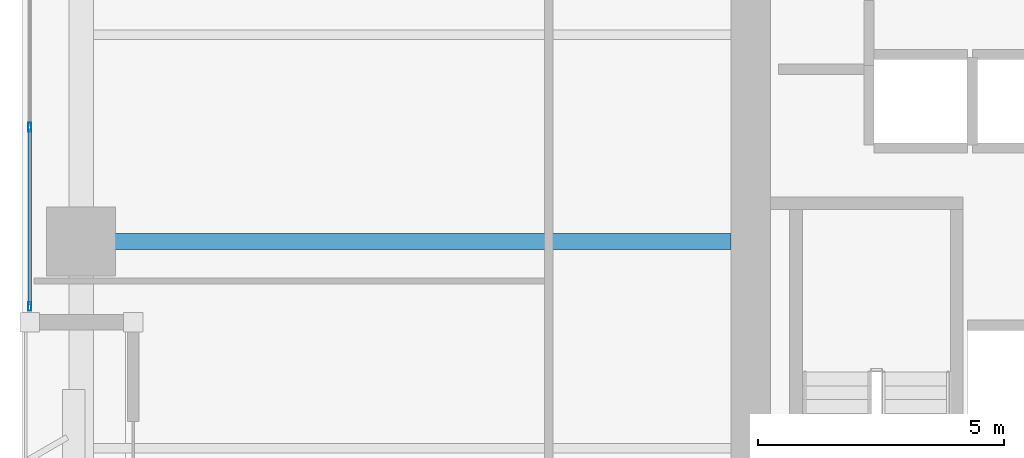
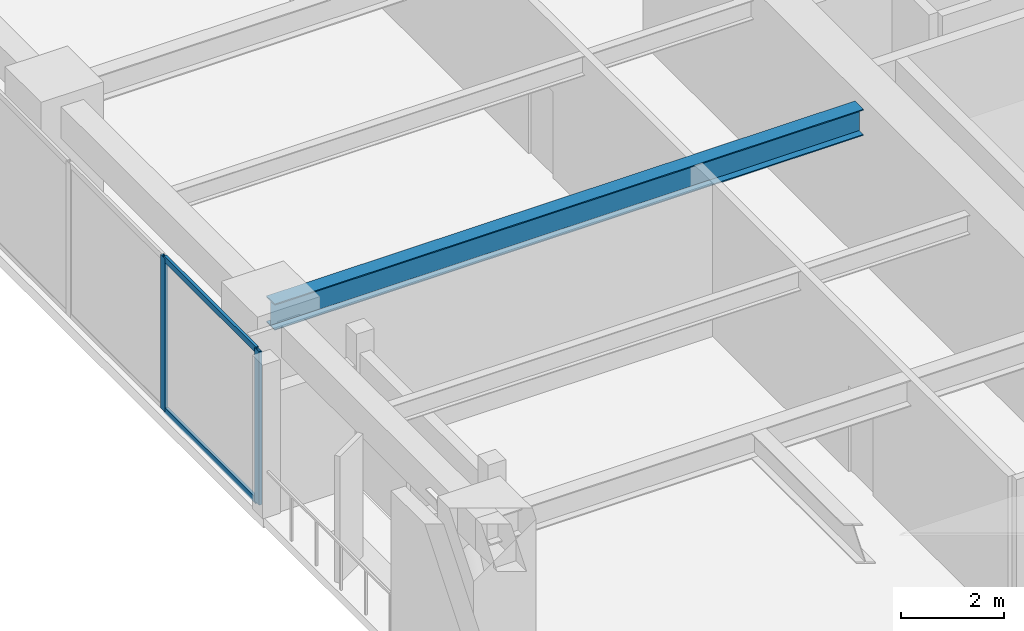
# One storey, part 2 of 24: 4 members, 1 beam, 1 element without a shape of its own.
"""IFC4 building model written with IfcOpenShell, lengths in metres."""

from ifc_helpers import new_model, si_unit, direction, frame, origin, origin_2d, place, context, subcontext, project, spatial, hollow_rectangle, i_section, extrude, material, layer, layer_set, material_profile, profile_set, type_object, element, aggregate, save


model = new_model("IFC4")

# Units and contexts
model_context = context("Model", 3, precision=1e-05, world=origin(), true_north=direction((0.0, 1.0)))
body_context = subcontext(model_context, "Body", "Model", "MODEL_VIEW")
ifc_project = project(units=[si_unit("LENGTHUNIT", "METRE"), si_unit("AREAUNIT", "SQUARE_METRE"), si_unit("VOLUMEUNIT", "CUBIC_METRE"), si_unit("PLANEANGLEUNIT", "RADIAN"), si_unit("MASSUNIT", "GRAM", prefix="KILO")], contexts=[model_context])

# Site, building, storey
site_placement = place(None, origin())
site = spatial("IfcSite", under=ifc_project, at=site_placement, CompositionType="ELEMENT")
building_placement = place(site_placement, origin())
building = spatial("IfcBuilding", under=site, at=building_placement, Name="Kiyonajd Concourse Tower", CompositionType="ELEMENT")
storey_placement = place(building_placement, frame((0.0, 0.0, 109.199951171875)))
storey = spatial("IfcBuildingStorey", under=building, at=storey_placement, Name="L28", CompositionType="ELEMENT", Elevation=109.199951171875)

# Beam
ifc_material_1 = material(Name="Steel ASTM A992 Grade 50", Category="steel")
ifc_material_profile_1 = material_profile(ifc_material_1, i_section(OverallWidth=0.326904296875, OverallDepth=0.6220703125, WebThickness=0.015380859375, FlangeThickness=0.0244140625, at=origin_2d()), Name="W610X195")
ifc_profile_set_1 = profile_set([ifc_material_profile_1], Name="Steel ASTM A992 Grade 50")
beam_type = type_object("IfcBeamType", Name="BM-TWR-610A", PredefinedType="BEAM", material=ifc_profile_set_1)
beam_placement = place(storey_placement, frame((19.199951171875, 36.0, 3.3291015625), z_axis=(1.0, 0.0, 0.0), x_axis=(0.0, 1.0, 0.0)))
element("IfcBeam", 1, at=beam_placement, inside=storey, type_object=beam_type, Name="L28 West Lease Girder", PredefinedType="BEAM", context=body_context, shape_type="SweptSolid", body=[
    extrude(i_section(OverallWidth=0.326904296875, OverallDepth=0.6220703125, WebThickness=0.015380859375, FlangeThickness=0.0244140625, at=origin_2d()), origin(), (0.0, 0.0, 1.0), 13.199951171875),
])

# Curtain wall, members
ifc_material_2 = material(Name="Thermally Broken Anodised Aluminium", Category="aluminium")
ifc_layer = layer(ifc_material_2, 0.179931640625)
ifc_layer_set = layer_set([ifc_layer], Name="Thermally Broken Anodised Aluminium")
curtain_wall_type = type_object("IfcCurtainWallType", Name="CW-SYS-03", PredefinedType="NOTDEFINED", material=ifc_layer_set)
curtain_wall_placement = place(storey_placement, origin())
curtain_wall = element("IfcCurtainWall", 2, at=curtain_wall_placement, inside=storey, type_object=curtain_wall_type, Name="L28 Unitised Curtain Wall CW3", PredefinedType="NOTDEFINED")
ifc_material_profile_2 = material_profile(ifc_material_2, hollow_rectangle(XDim=0.06494140625, YDim=0.179931640625, WallThickness=0.00390625, at=origin_2d()), Name="MULL-65x180")
ifc_profile_set_2 = profile_set([ifc_material_profile_2], Name="Thermally Broken Anodised Aluminium")
member_type_1 = type_object("IfcMemberType", Name="MB-CW-MULL1", PredefinedType="MULLION", material=ifc_profile_set_2)
member_1_placement = place(storey_placement, frame((18.159912109375, 34.6826171875, 0.0), z_axis=(0.0, 0.0, 1.0), x_axis=(-1.0, 0.0, 0.0)))
member_1 = element("IfcMember", 3, at=member_1_placement, type_object=member_type_1, Name="CW3 mullion 1", PredefinedType="MULLION", context=body_context, shape_type="SweptSolid", body=[
    extrude(hollow_rectangle(XDim=0.06494140625, YDim=0.179931640625, WallThickness=0.00390625, at=origin_2d()), origin(), (0.0, 0.0, 1.0), 3.64013671875),
])
member_2_placement = place(storey_placement, frame((18.159912109375, 38.3232421875, 0.0), z_axis=(0.0, 0.0, 1.0), x_axis=(-1.0, 0.0, 0.0)))
member_2 = element("IfcMember", 4, at=member_2_placement, type_object=member_type_1, Name="CW3 mullion 2", PredefinedType="MULLION", context=body_context, shape_type="SweptSolid", body=[
    extrude(hollow_rectangle(XDim=0.06494140625, YDim=0.179931640625, WallThickness=0.00390625, at=origin_2d()), origin(), (0.0, 0.0, 1.0), 3.64013671875),
])
ifc_material_profile_3 = material_profile(ifc_material_2, hollow_rectangle(XDim=0.06494140625, YDim=0.139892578125, WallThickness=0.00390625, at=origin_2d()), Name="TRAN-65x140")
ifc_profile_set_3 = profile_set([ifc_material_profile_3], Name="Thermally Broken Anodised Aluminium")
member_type_2 = type_object("IfcMemberType", Name="MB-CW-TRAN1", PredefinedType="USERDEFINED", material=ifc_profile_set_3)
member_3_placement = place(storey_placement, frame((18.159912109375, 34.715087890625, 0.032470703125), z_axis=(0.0, 1.0, 0.0), x_axis=(-1.0, 0.0, 0.0)))
member_3 = element("IfcMember", 5, at=member_3_placement, type_object=member_type_2, Name="CW3 transom 1.1", ObjectType="TRANSOM", PredefinedType="USERDEFINED", context=body_context, shape_type="SweptSolid", body=[
    extrude(hollow_rectangle(XDim=0.06494140625, YDim=0.139892578125, WallThickness=0.00390625, at=origin_2d()), origin(), (0.0, 0.0, 1.0), 3.57568359375),
])
member_4_placement = place(storey_placement, frame((18.159912109375, 34.715087890625, 3.607666015625), z_axis=(0.0, 1.0, 0.0), x_axis=(-1.0, 0.0, 0.0)))
member_4 = element("IfcMember", 6, at=member_4_placement, type_object=member_type_2, Name="CW3 transom 1.2", ObjectType="TRANSOM", PredefinedType="USERDEFINED", context=body_context, shape_type="SweptSolid", body=[
    extrude(hollow_rectangle(XDim=0.06494140625, YDim=0.139892578125, WallThickness=0.00390625, at=origin_2d()), origin(), (0.0, 0.0, 1.0), 3.57568359375),
])
aggregate(curtain_wall, [member_1, member_2, member_3, member_4])

save(model, "model.ifc")
